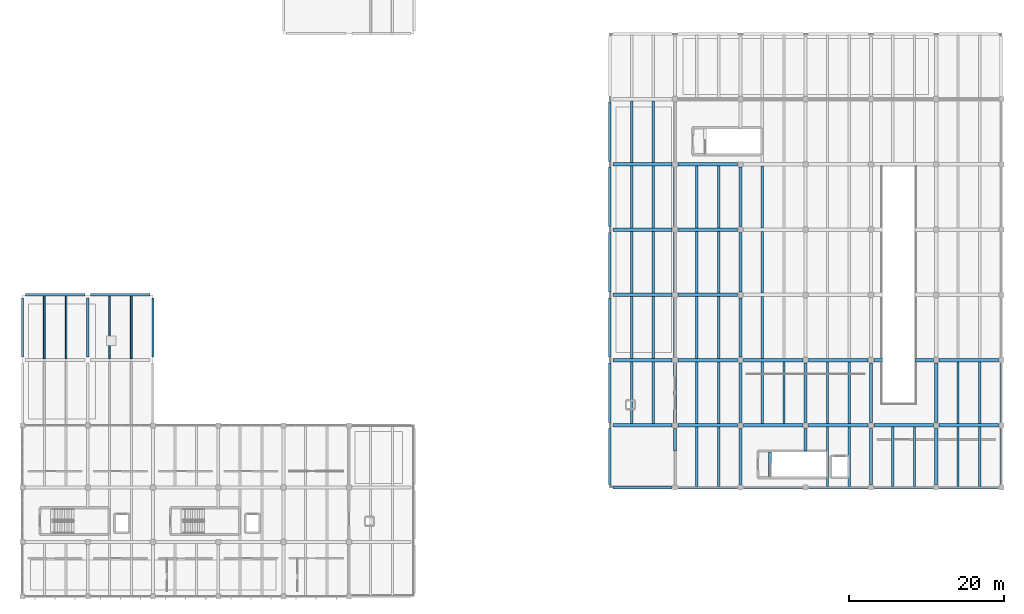
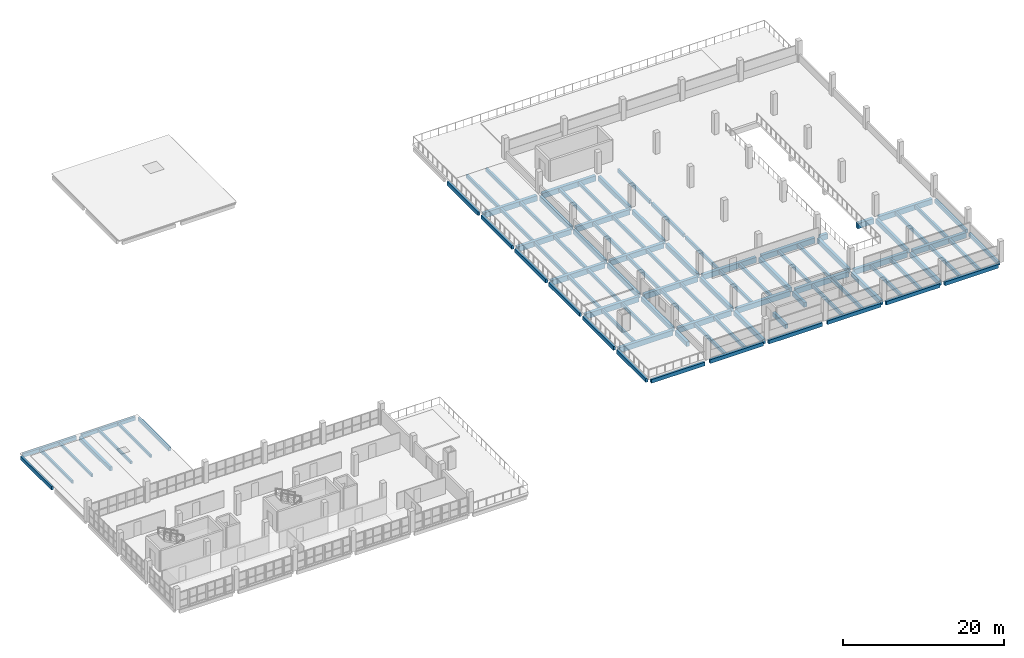
# One storey, part 19 of 33: 94 beams.
"""IFC4 building model written with IfcOpenShell, lengths in metres."""

import ifcopenshell
import ifcopenshell.guid

model = None  # the IFC model being written
_history = None  # IfcOwnerHistory: only IFC2X3 demands one
_inside = {}  # id of a spatial element -> (the spatial element, [elements in it])
_under = {}  # id of a project, library or spatial element -> (it, [spatial elements below it])
_declared = {}  # id of a project -> (the project, [libraries it declares])
_typed = {}  # id of a type object -> (the type object, [elements of that type])
_made_of = {}  # id of a material, layer set ... -> (it, [elements and type objects made of it])


def new_model(schema):
    """Start an empty IFC model of exactly this schema.

    Asked for "IFC4X3", IfcOpenShell would pick the latest addendum, in which some entities
    have other attributes; the version numbers below select the first issue.
    IFC2X3 requires an IfcOwnerHistory on every rooted entity: one is made here for all.
    """
    global model, _history
    if schema == "IFC4X3":
        model = ifcopenshell.file(schema_version=(4, 3, 0, 0))
    else:
        model = ifcopenshell.file(schema=schema)
    _inside.clear()
    _under.clear()
    _declared.clear()
    _typed.clear()
    _made_of.clear()
    _history = None
    if model.schema == "IFC2X3":
        org = make("IfcOrganization", Name="unknown")
        user = make(
            "IfcPersonAndOrganization",
            ThePerson=make("IfcPerson", FamilyName="unknown"),
            TheOrganization=org,
        )
        app = make(
            "IfcApplication",
            ApplicationDeveloper=org,
            Version="unknown",
            ApplicationFullName="unknown",
            ApplicationIdentifier="unknown",
        )
        _history = make(
            "IfcOwnerHistory",
            OwningUser=user,
            OwningApplication=app,
            ChangeAction="ADDED",
            CreationDate=0,
        )
    return model


def make(cls, **values):
    """One entity of the class cls with the attributes given. An attribute that is None is left unset."""
    return model.create_entity(
        cls, **{name: value for name, value in values.items() if value is not None}
    )


def rooted(cls, **values):
    """An entity with a GlobalId (a new one), such as an element, a storey or a relation."""
    return make(cls, GlobalId=ifcopenshell.guid.new(), OwnerHistory=_history, **values)


def si_unit(unit_type, name, prefix=None):
    """IfcSIUnit, for example si_unit("LENGTHUNIT", "METRE", prefix="MILLI")."""
    return make("IfcSIUnit", UnitType=unit_type, Prefix=prefix, Name=name)


def assignment(units):
    """IfcUnitAssignment: the units of a project."""
    return None if units is None else make("IfcUnitAssignment", Units=units)


def point(xyz):
    """IfcCartesianPoint."""
    return None if xyz is None else make("IfcCartesianPoint", Coordinates=xyz)


def direction(xyz):
    """IfcDirection."""
    return None if xyz is None else make("IfcDirection", DirectionRatios=xyz)


def frame(location, z_axis=None, x_axis=None):
    """IfcAxis2Placement3D, a coordinate frame: its origin and axes. An axis left out is left unset."""
    return make(
        "IfcAxis2Placement3D",
        Location=point(location),
        Axis=direction(z_axis),
        RefDirection=direction(x_axis),
    )


def frame_2d(location, x_axis=None):
    """IfcAxis2Placement2D, a coordinate frame in the plane: its origin and x axis."""
    return make(
        "IfcAxis2Placement2D", Location=point(location), RefDirection=direction(x_axis)
    )


def origin():
    """The frame at (0, 0, 0) with its axes left unset."""
    return frame((0.0, 0.0, 0.0))


def origin_2d():
    """The frame at (0, 0) in the plane with its x axis left unset."""
    return frame_2d((0.0, 0.0))


def place(relative_to, where):
    """IfcLocalPlacement: puts the frame where relative to a parent placement (None: the world)."""
    return make(
        "IfcLocalPlacement", PlacementRelTo=relative_to, RelativePlacement=where
    )


def context(
    kind, dimensions, precision=None, world=None, true_north=None, identifier=None
):
    """IfcGeometricRepresentationContext, for example the 3D "Model" context."""
    return make(
        "IfcGeometricRepresentationContext",
        ContextIdentifier=identifier,
        ContextType=kind,
        CoordinateSpaceDimension=dimensions,
        Precision=precision,
        WorldCoordinateSystem=world,
        TrueNorth=true_north,
    )


def subcontext(parent, identifier, kind, view, scale=None):
    """IfcGeometricRepresentationSubContext, for example "Body" below "Model"."""
    return make(
        "IfcGeometricRepresentationSubContext",
        ContextIdentifier=identifier,
        ContextType=kind,
        ParentContext=parent,
        TargetScale=scale,
        TargetView=view,
    )


def project(units=None, contexts=None):
    """IfcProject with its units and contexts."""
    return rooted(
        "IfcProject",
        Name="project",
        RepresentationContexts=contexts,
        UnitsInContext=assignment(units),
    )


def spatial(cls, under=None, at=None, **own):
    """A site, building, storey or space (cls), placed at a placement, below another one or the project."""
    s = rooted(cls, ObjectPlacement=at, **own)
    if under is not None:
        _under.setdefault(under.id(), (under, []))[1].append(s)
    return s


def profile(cls, at=None, kind="AREA", **sizes):
    """A parametric profile (cls). Its sizes go by their IFC names, for example OverallWidth=200.0."""
    return make(cls, ProfileType=kind, Position=at, **sizes)


def rectangle(**sizes):
    """IfcRectangleProfileDef."""
    return profile("IfcRectangleProfileDef", **sizes)


def extrude(swept, where, along, depth):
    """IfcExtrudedAreaSolid: the profile swept, set in the frame where, extruded along a direction by depth."""
    return make(
        "IfcExtrudedAreaSolid",
        SweptArea=swept,
        Position=where,
        ExtrudedDirection=direction(along),
        Depth=depth,
    )


def shape(context_of_items, identifier, shape_type, items):
    """IfcShapeRepresentation: the items that make up one representation, for example the "Body"."""
    return make(
        "IfcShapeRepresentation",
        ContextOfItems=context_of_items,
        RepresentationIdentifier=identifier,
        RepresentationType=shape_type,
        Items=items,
    )


def material(Name=None, Category=None):
    """IfcMaterial."""
    return make("IfcMaterial", Name=Name, Category=Category)


def material_profile(
    of_material, cross_section, Name=None, Category=None, Priority=None
):
    """IfcMaterialProfile: a cross section and its material."""
    return make(
        "IfcMaterialProfile",
        Name=Name,
        Material=of_material,
        Profile=cross_section,
        Priority=Priority,
        Category=Category,
    )


def profile_set(profiles, Name=None, composite=None):
    """IfcMaterialProfileSet."""
    return make(
        "IfcMaterialProfileSet",
        Name=Name,
        MaterialProfiles=profiles,
        CompositeProfile=composite,
    )


def made_of(thing, what):
    """Note that an element or type object is made of a material, layer set ...; save() writes the relation."""
    if what is not None:
        _made_of.setdefault(what.id(), (what, []))[1].append(thing)
    return thing


def type_object(cls, material=None, **own):
    """A type object (cls), such as IfcWallType, which elements share."""
    return made_of(rooted(cls, **own), material)


def element(
    cls,
    number,
    at=None,
    inside=None,
    cuts=None,
    type_object=None,
    material=None,
    context=None,
    identifier="Body",
    shape_type=None,
    held_by="IfcProductDefinitionShape",
    body=None,
    shapes=None,
    **own,
):
    """One element of the class cls, such as IfcWall. Its Tag is "e" and its number.

    at: its placement. inside: the storey or other place that contains it. cuts: it is an
    opening in that element (IfcRelVoidsElement). A single representation is given by context,
    identifier, shape_type and body (its items); several are given by shapes. held_by: the class
    of the entity that holds the representations. save() writes the other relations.
    """
    e = rooted(cls, Tag="e%d" % number, ObjectPlacement=at, **own)
    if body is not None:
        shapes = [shape(context, identifier, shape_type, body)]
    if shapes is not None:
        e.Representation = make(held_by, Representations=shapes)
    if inside is not None:
        _inside.setdefault(inside.id(), (inside, []))[1].append(e)
    if cuts is not None:
        rooted(
            "IfcRelVoidsElement", RelatingBuildingElement=cuts, RelatedOpeningElement=e
        )
    if type_object is not None:
        _typed.setdefault(type_object.id(), (type_object, []))[1].append(e)
    return made_of(e, material)


def aggregate(whole, parts):
    """IfcRelAggregates: a whole, such as a stair, and the parts it consists of."""
    return rooted("IfcRelAggregates", RelatingObject=whole, RelatedObjects=parts)


def save(model, path):
    """Write the relations noted so far, then the file.

    IfcRelAggregates (storeys below a building ...), IfcRelContainedInSpatialStructure (elements
    in a storey), IfcRelDefinesByType, IfcRelAssociatesMaterial and IfcRelDeclares: one each for
    every whole, place, type object, material and project.
    """
    for whole, parts in _under.values():
        aggregate(whole, parts)
    for where, things in _inside.values():
        rooted(
            "IfcRelContainedInSpatialStructure",
            RelatedElements=things,
            RelatingStructure=where,
        )
    for kind, things in _typed.values():
        rooted("IfcRelDefinesByType", RelatedObjects=things, RelatingType=kind)
    for what, things in _made_of.values():
        rooted("IfcRelAssociatesMaterial", RelatedObjects=things, RelatingMaterial=what)
    for by, libraries in _declared.values():
        rooted("IfcRelDeclares", RelatingContext=by, RelatedDefinitions=libraries)
    model.write(path)


model = new_model("IFC4")

# Units and contexts
model_context = context("Model", 3, precision=1e-05, world=origin(), true_north=direction((0.0, 1.0)))
body_context = subcontext(model_context, "Body", "Model", "MODEL_VIEW")
ifc_project = project(units=[si_unit("LENGTHUNIT", "METRE"), si_unit("AREAUNIT", "SQUARE_METRE"), si_unit("VOLUMEUNIT", "CUBIC_METRE"), si_unit("PLANEANGLEUNIT", "RADIAN"), si_unit("MASSUNIT", "GRAM", prefix="KILO"), si_unit("THERMODYNAMICTEMPERATUREUNIT", "KELVIN"), si_unit("POWERUNIT", "WATT")], contexts=[model_context])

# Site, building, storey
site_placement = place(None, origin())
site = spatial("IfcSite", under=ifc_project, at=site_placement, CompositionType="ELEMENT")
building_placement = place(site_placement, origin())
building = spatial("IfcBuilding", under=site, at=building_placement, Name="Mavoryth Pier Ferry Terminal", CompositionType="ELEMENT")
storey_placement = place(building_placement, frame((0.0, 0.0, 13.1201171875)))
storey = spatial("IfcBuildingStorey", under=building, at=storey_placement, Name="L03", CompositionType="ELEMENT", Elevation=13.1201171875)

# Beams
ifc_material = material(Name="Concrete C35/45", Category="concrete")
ifc_material_profile_1 = material_profile(ifc_material, rectangle(XDim=0.35009765625, YDim=0.60009765625, at=origin_2d()), Name="RC 350x600", Category="concrete")
ifc_profile_set_1 = profile_set([ifc_material_profile_1], Name="Concrete C35/45 - RC 350x600")
beam_type_1 = type_object("IfcBeamType", Name="Girder-RC-350x600", PredefinedType="BEAM", material=ifc_profile_set_1)
beam_1_placement = place(storey_placement, frame((50.39990234375, 30.77490234375, -0.460205078125), z_axis=(0.0, 1.0, 0.0), x_axis=(-1.0, 0.0, 0.0)))
element("IfcBeam", 1, at=beam_1_placement, inside=storey, type_object=beam_type_1, Name="Beam B03-BG08-1317", PredefinedType="BEAM", context=body_context, shape_type="SweptSolid", body=[
    extrude(rectangle(XDim=0.35009765625, YDim=0.60009765625, at=origin_2d()), origin(), (0.0, 0.0, 1.0), 7.650146484375),
])
ifc_material_profile_2 = material_profile(ifc_material, rectangle(XDim=0.39990234375, YDim=0.64990234375, at=origin_2d()), Name="RC 400x650", Category="concrete")
ifc_profile_set_2 = profile_set([ifc_material_profile_2], Name="Concrete C35/45 - RC 400x650")
beam_type_2 = type_object("IfcBeamType", Name="Girder-RC-400x650", PredefinedType="BEAM", material=ifc_profile_set_2)
beam_2_placement = place(storey_placement, frame((138.219970703125, 15.39990234375, -0.3251953125), z_axis=(0.0, 1.0, 0.0), x_axis=(-1.0, 0.0, 0.0)))
element("IfcBeam", 2, at=beam_2_placement, inside=storey, type_object=beam_type_2, Name="Beam B03-BG05-1580", PredefinedType="BEAM", context=body_context, shape_type="SweptSolid", body=[
    extrude(rectangle(XDim=0.39990234375, YDim=0.64990234375, at=origin_2d()), origin(), (0.0, 0.0, 1.0), 3.150146484375),
])
ifc_material_profile_3 = material_profile(ifc_material, rectangle(XDim=0.39990234375, YDim=0.699951171875, at=origin_2d()), Name="RC 400x700", Category="concrete")
ifc_profile_set_3 = profile_set([ifc_material_profile_3], Name="Concrete C35/45 - RC 400x700")
beam_type_3 = type_object("IfcBeamType", Name="Girder-RC-400x700", PredefinedType="BEAM", material=ifc_profile_set_3)
beam_3_placement = place(storey_placement, frame((126.0, 18.679931640625, -0.710205078125), z_axis=(0.0, 1.0, 0.0), x_axis=(-1.0, 0.0, 0.0)))
element("IfcBeam", 3, at=beam_3_placement, inside=storey, type_object=beam_type_3, Name="Beam B03-BG04-1121", PredefinedType="BEAM", context=body_context, shape_type="SweptSolid", body=[
    extrude(rectangle(XDim=0.39990234375, YDim=0.699951171875, at=origin_2d()), origin(), (0.0, 0.0, 1.0), 2.945068359375),
])
beam_4_placement = place(storey_placement, frame((126.0, 22.375, -0.710205078125), z_axis=(0.0, 1.0, 0.0), x_axis=(-1.0, 0.0, 0.0)))
element("IfcBeam", 4, at=beam_4_placement, inside=storey, type_object=beam_type_3, Name="Beam B03-BG04-1122", PredefinedType="BEAM", context=body_context, shape_type="SweptSolid", body=[
    extrude(rectangle(XDim=0.39990234375, YDim=0.699951171875, at=origin_2d()), origin(), (0.0, 0.0, 1.0), 7.64990234375),
])
beam_5_placement = place(storey_placement, frame((126.0, 30.77490234375, -0.710205078125), z_axis=(0.0, 1.0, 0.0), x_axis=(-1.0, 0.0, 0.0)))
element("IfcBeam", 5, at=beam_5_placement, inside=storey, type_object=beam_type_3, Name="Beam B03-BG04-1123", PredefinedType="BEAM", context=body_context, shape_type="SweptSolid", body=[
    extrude(rectangle(XDim=0.39990234375, YDim=0.699951171875, at=origin_2d()), origin(), (0.0, 0.0, 1.0), 7.650146484375),
])
beam_6_placement = place(storey_placement, frame((126.0, 39.175048828125, -0.710205078125), z_axis=(0.0, 1.0, 0.0), x_axis=(-1.0, 0.0, 0.0)))
element("IfcBeam", 6, at=beam_6_placement, inside=storey, type_object=beam_type_3, Name="Beam B03-BG04-1124", PredefinedType="BEAM", context=body_context, shape_type="SweptSolid", body=[
    extrude(rectangle(XDim=0.39990234375, YDim=0.699951171875, at=origin_2d()), origin(), (0.0, 0.0, 1.0), 7.64990234375),
])
beam_7_placement = place(storey_placement, frame((126.0, 47.574951171875, -0.710205078125), z_axis=(0.0, 1.0, 0.0), x_axis=(-1.0, 0.0, 0.0)))
element("IfcBeam", 7, at=beam_7_placement, inside=storey, type_object=beam_type_3, Name="Beam B03-BG04-1125", PredefinedType="BEAM", context=body_context, shape_type="SweptSolid", body=[
    extrude(rectangle(XDim=0.39990234375, YDim=0.699951171875, at=origin_2d()), origin(), (0.0, 0.0, 1.0), 7.650146484375),
])
beam_8_placement = place(storey_placement, frame((134.39990234375, 14.375, -0.650146484375), z_axis=(0.0, 1.0, 0.0), x_axis=(-1.0, 0.0, 0.0)))
element("IfcBeam", 8, at=beam_8_placement, inside=storey, type_object=beam_type_3, Name="Beam B03-BG04-1128", PredefinedType="BEAM", context=body_context, shape_type="SweptSolid", body=[
    extrude(rectangle(XDim=0.39990234375, YDim=0.699951171875, at=origin_2d()), origin(), (0.0, 0.0, 1.0), 7.25),
])
beam_9_placement = place(storey_placement, frame((134.39990234375, 22.375, -0.650146484375), z_axis=(0.0, 1.0, 0.0), x_axis=(-1.0, 0.0, 0.0)))
element("IfcBeam", 9, at=beam_9_placement, inside=storey, type_object=beam_type_3, Name="Beam B03-BG04-1129", PredefinedType="BEAM", context=body_context, shape_type="SweptSolid", body=[
    extrude(rectangle(XDim=0.39990234375, YDim=0.699951171875, at=origin_2d()), origin(), (0.0, 0.0, 1.0), 7.64990234375),
])
beam_10_placement = place(storey_placement, frame((134.39990234375, 30.77490234375, -0.650146484375), z_axis=(0.0, 1.0, 0.0), x_axis=(-1.0, 0.0, 0.0)))
element("IfcBeam", 10, at=beam_10_placement, inside=storey, type_object=beam_type_3, Name="Beam B03-BG04-1130", PredefinedType="BEAM", context=body_context, shape_type="SweptSolid", body=[
    extrude(rectangle(XDim=0.39990234375, YDim=0.699951171875, at=origin_2d()), origin(), (0.0, 0.0, 1.0), 7.650146484375),
])
beam_11_placement = place(storey_placement, frame((134.39990234375, 39.175048828125, -0.650146484375), z_axis=(0.0, 1.0, 0.0), x_axis=(-1.0, 0.0, 0.0)))
element("IfcBeam", 11, at=beam_11_placement, inside=storey, type_object=beam_type_3, Name="Beam B03-BG04-1131", PredefinedType="BEAM", context=body_context, shape_type="SweptSolid", body=[
    extrude(rectangle(XDim=0.39990234375, YDim=0.699951171875, at=origin_2d()), origin(), (0.0, 0.0, 1.0), 7.64990234375),
])
beam_12_placement = place(storey_placement, frame((134.39990234375, 47.574951171875, -0.650146484375), z_axis=(0.0, 1.0, 0.0), x_axis=(-1.0, 0.0, 0.0)))
element("IfcBeam", 12, at=beam_12_placement, inside=storey, type_object=beam_type_3, Name="Beam B03-BG04-1132", PredefinedType="BEAM", context=body_context, shape_type="SweptSolid", body=[
    extrude(rectangle(XDim=0.39990234375, YDim=0.699951171875, at=origin_2d()), origin(), (0.0, 0.0, 1.0), 7.650146484375),
])
beam_13_placement = place(storey_placement, frame((142.800048828125, 18.679931640625, -0.650146484375), z_axis=(0.0, 1.0, 0.0), x_axis=(-1.0, 0.0, 0.0)))
element("IfcBeam", 13, at=beam_13_placement, inside=storey, type_object=beam_type_3, Name="Beam B03-BG04-1135", PredefinedType="BEAM", context=body_context, shape_type="SweptSolid", body=[
    extrude(rectangle(XDim=0.39990234375, YDim=0.699951171875, at=origin_2d()), origin(), (0.0, 0.0, 1.0), 2.945068359375),
])
beam_14_placement = place(storey_placement, frame((142.800048828125, 22.375, -0.650146484375), z_axis=(0.0, 1.0, 0.0), x_axis=(-1.0, 0.0, 0.0)))
element("IfcBeam", 14, at=beam_14_placement, inside=storey, type_object=beam_type_3, Name="Beam B03-BG04-1136", PredefinedType="BEAM", context=body_context, shape_type="SweptSolid", body=[
    extrude(rectangle(XDim=0.39990234375, YDim=0.699951171875, at=origin_2d()), origin(), (0.0, 0.0, 1.0), 7.64990234375),
])
beam_15_placement = place(storey_placement, frame((151.199951171875, 14.375, -0.650146484375), z_axis=(0.0, 1.0, 0.0), x_axis=(-1.0, 0.0, 0.0)))
element("IfcBeam", 15, at=beam_15_placement, inside=storey, type_object=beam_type_3, Name="Beam B03-BG04-1142", PredefinedType="BEAM", context=body_context, shape_type="SweptSolid", body=[
    extrude(rectangle(XDim=0.39990234375, YDim=0.699951171875, at=origin_2d()), origin(), (0.0, 0.0, 1.0), 7.25),
])
beam_16_placement = place(storey_placement, frame((151.199951171875, 22.375, -0.650146484375), z_axis=(0.0, 1.0, 0.0), x_axis=(-1.0, 0.0, 0.0)))
element("IfcBeam", 16, at=beam_16_placement, inside=storey, type_object=beam_type_3, Name="Beam B03-BG04-1143", PredefinedType="BEAM", context=body_context, shape_type="SweptSolid", body=[
    extrude(rectangle(XDim=0.39990234375, YDim=0.699951171875, at=origin_2d()), origin(), (0.0, 0.0, 1.0), 7.64990234375),
])
beam_17_placement = place(storey_placement, frame((159.60009765625, 14.375, -0.650146484375), z_axis=(0.0, 1.0, 0.0), x_axis=(-1.0, 0.0, 0.0)))
element("IfcBeam", 17, at=beam_17_placement, inside=storey, type_object=beam_type_3, Name="Beam B03-BG04-1149", PredefinedType="BEAM", context=body_context, shape_type="SweptSolid", body=[
    extrude(rectangle(XDim=0.39990234375, YDim=0.699951171875, at=origin_2d()), origin(), (0.0, 0.0, 1.0), 7.25),
])
beam_18_placement = place(storey_placement, frame((159.60009765625, 22.375, -0.650146484375), z_axis=(0.0, 1.0, 0.0), x_axis=(-1.0, 0.0, 0.0)))
element("IfcBeam", 18, at=beam_18_placement, inside=storey, type_object=beam_type_3, Name="Beam B03-BG04-1150", PredefinedType="BEAM", context=body_context, shape_type="SweptSolid", body=[
    extrude(rectangle(XDim=0.39990234375, YDim=0.699951171875, at=origin_2d()), origin(), (0.0, 0.0, 1.0), 7.64990234375),
])
ifc_material_profile_4 = material_profile(ifc_material, rectangle(XDim=0.449951171875, YDim=0.800048828125, at=origin_2d()), Name="RC 450x800", Category="concrete")
ifc_profile_set_4 = profile_set([ifc_material_profile_4], Name="Concrete C35/45 - RC 450x800")
beam_type_4 = type_object("IfcBeamType", Name="Girder-RC-450x800", PredefinedType="BEAM", material=ifc_profile_set_4)
for number, where, z_axis, x_axis, name in (
    (19, (117.97509765625, 22.0, -0.760009765625), (1.0, 0.0, 0.0), (0.0, 1.0, 0.0), "Beam B03-BG01-1069"),
    (20, (126.375, 22.0, -0.7001953125), (1.0, 0.0, 0.0), (0.0, 1.0, 0.0), "Beam B03-BG01-1070"),
):
    element("IfcBeam", number, at=place(storey_placement, frame(where, z_axis=z_axis, x_axis=x_axis)), inside=storey, type_object=beam_type_4, Name=name, PredefinedType="BEAM", context=body_context, shape_type="SweptSolid", body=[
        extrude(rectangle(XDim=0.449951171875, YDim=0.800048828125, at=origin_2d()), origin(), (0.0, 0.0, 1.0), 7.64990234375),
    ])
beam_19_placement = place(storey_placement, frame((134.77490234375, 22.0, -0.7001953125), z_axis=(1.0, 0.0, 0.0), x_axis=(0.0, 1.0, 0.0)))
element("IfcBeam", 21, at=beam_19_placement, inside=storey, type_object=beam_type_4, Name="Beam B03-BG01-1071", PredefinedType="BEAM", context=body_context, shape_type="SweptSolid", body=[
    extrude(rectangle(XDim=0.449951171875, YDim=0.800048828125, at=origin_2d()), origin(), (0.0, 0.0, 1.0), 7.650146484375),
])
beam_20_placement = place(storey_placement, frame((143.175048828125, 22.0, -0.7001953125), z_axis=(1.0, 0.0, 0.0), x_axis=(0.0, 1.0, 0.0)))
element("IfcBeam", 22, at=beam_20_placement, inside=storey, type_object=beam_type_4, Name="Beam B03-BG01-1072", PredefinedType="BEAM", context=body_context, shape_type="SweptSolid", body=[
    extrude(rectangle(XDim=0.449951171875, YDim=0.800048828125, at=origin_2d()), origin(), (0.0, 0.0, 1.0), 7.64990234375),
])
beam_21_placement = place(storey_placement, frame((151.574951171875, 22.0, -0.7001953125), z_axis=(1.0, 0.0, 0.0), x_axis=(0.0, 1.0, 0.0)))
element("IfcBeam", 23, at=beam_21_placement, inside=storey, type_object=beam_type_4, Name="Beam B03-BG01-1073", PredefinedType="BEAM", context=body_context, shape_type="SweptSolid", body=[
    extrude(rectangle(XDim=0.449951171875, YDim=0.800048828125, at=origin_2d()), origin(), (0.0, 0.0, 1.0), 7.650146484375),
])
for number, where, z_axis, x_axis, name in (
    (24, (159.97509765625, 22.0, -0.7001953125), (1.0, 0.0, 0.0), (0.0, 1.0, 0.0), "Beam B03-BG01-1074"),
    (25, (117.97509765625, 30.39990234375, -0.760009765625), (1.0, 0.0, 0.0), (0.0, 1.0, 0.0), "Beam B03-BG01-1075"),
    (26, (126.375, 30.39990234375, -0.7001953125), (1.0, 0.0, 0.0), (0.0, 1.0, 0.0), "Beam B03-BG01-1076"),
):
    element("IfcBeam", number, at=place(storey_placement, frame(where, z_axis=z_axis, x_axis=x_axis)), inside=storey, type_object=beam_type_4, Name=name, PredefinedType="BEAM", context=body_context, shape_type="SweptSolid", body=[
        extrude(rectangle(XDim=0.449951171875, YDim=0.800048828125, at=origin_2d()), origin(), (0.0, 0.0, 1.0), 7.64990234375),
    ])
beam_22_placement = place(storey_placement, frame((134.77490234375, 30.39990234375, -0.7001953125), z_axis=(1.0, 0.0, 0.0), x_axis=(0.0, 1.0, 0.0)))
element("IfcBeam", 27, at=beam_22_placement, inside=storey, type_object=beam_type_4, Name="Beam B03-BG01-1077", PredefinedType="BEAM", context=body_context, shape_type="SweptSolid", body=[
    extrude(rectangle(XDim=0.449951171875, YDim=0.800048828125, at=origin_2d()), origin(), (0.0, 0.0, 1.0), 7.650146484375),
])
beam_23_placement = place(storey_placement, frame((143.175048828125, 30.39990234375, -0.7001953125), z_axis=(1.0, 0.0, 0.0), x_axis=(0.0, 1.0, 0.0)))
element("IfcBeam", 28, at=beam_23_placement, inside=storey, type_object=beam_type_4, Name="Beam B03-BG01-1078", PredefinedType="BEAM", context=body_context, shape_type="SweptSolid", body=[
    extrude(rectangle(XDim=0.449951171875, YDim=0.800048828125, at=origin_2d()), origin(), (0.0, 0.0, 1.0), 7.64990234375),
])
beam_24_placement = place(storey_placement, frame((151.574951171875, 30.39990234375, -0.7001953125), z_axis=(1.0, 0.0, 0.0), x_axis=(0.0, 1.0, 0.0)))
element("IfcBeam", 29, at=beam_24_placement, inside=storey, type_object=beam_type_4, Name="Beam B03-BG01-1079", PredefinedType="BEAM", context=body_context, shape_type="SweptSolid", body=[
    extrude(rectangle(XDim=0.449951171875, YDim=0.800048828125, at=origin_2d()), origin(), (0.0, 0.0, 1.0), 1.0849609375),
])
beam_25_placement = place(storey_placement, frame((156.93994140625, 30.39990234375, -0.7001953125), z_axis=(1.0, 0.0, 0.0), x_axis=(0.0, 1.0, 0.0)))
element("IfcBeam", 30, at=beam_25_placement, inside=storey, type_object=beam_type_4, Name="Beam B03-BG01-1080", PredefinedType="BEAM", context=body_context, shape_type="SweptSolid", body=[
    extrude(rectangle(XDim=0.449951171875, YDim=0.800048828125, at=origin_2d()), origin(), (0.0, 0.0, 1.0), 2.28515625),
])
for number, where, z_axis, x_axis, name in (
    (31, (159.97509765625, 30.39990234375, -0.7001953125), (1.0, 0.0, 0.0), (0.0, 1.0, 0.0), "Beam B03-BG01-1081"),
    (32, (117.97509765625, 38.800048828125, -0.760009765625), (1.0, 0.0, 0.0), (0.0, 1.0, 0.0), "Beam B03-BG01-1082"),
    (33, (126.375, 38.800048828125, -0.7001953125), (1.0, 0.0, 0.0), (0.0, 1.0, 0.0), "Beam B03-BG01-1083"),
    (34, (117.97509765625, 47.199951171875, -0.760009765625), (1.0, 0.0, 0.0), (0.0, 1.0, 0.0), "Beam B03-BG01-1089"),
    (35, (126.375, 47.199951171875, -0.7001953125), (1.0, 0.0, 0.0), (0.0, 1.0, 0.0), "Beam B03-BG01-1090"),
    (36, (117.97509765625, 55.60009765625, -0.760009765625), (1.0, 0.0, 0.0), (0.0, 1.0, 0.0), "Beam B03-BG01-1096"),
    (37, (126.375, 55.60009765625, -0.7001953125), (1.0, 0.0, 0.0), (0.0, 1.0, 0.0), "Beam B03-BG01-1097"),
):
    element("IfcBeam", number, at=place(storey_placement, frame(where, z_axis=z_axis, x_axis=x_axis)), inside=storey, type_object=beam_type_4, Name=name, PredefinedType="BEAM", context=body_context, shape_type="SweptSolid", body=[
        extrude(rectangle(XDim=0.449951171875, YDim=0.800048828125, at=origin_2d()), origin(), (0.0, 0.0, 1.0), 7.64990234375),
    ])
ifc_material_profile_5 = material_profile(ifc_material, rectangle(XDim=0.239990234375, YDim=0.419921875, at=origin_2d()), Name="RC 240x420", Category="concrete")
ifc_profile_set_5 = profile_set([ifc_material_profile_5], Name="Concrete C35/45 - RC 240x420")
beam_type_5 = type_object("IfcBeamType", Name="Joist-RC-240x420", PredefinedType="JOIST", material=ifc_profile_set_5)
for number, where, z_axis, x_axis, name in (
    (38, (44.800048828125, 30.574951171875, -0.3701171875), (0.0, 1.0, 0.0), (-1.0, 0.0, 0.0), "Beam B03-BJ04-1322"),
    (39, (47.60009765625, 30.574951171875, -0.3701171875), (0.0, 1.0, 0.0), (-1.0, 0.0, 0.0), "Beam B03-BJ04-1323"),
    (40, (53.199951171875, 30.574951171875, -0.3701171875), (0.0, 1.0, 0.0), (-1.0, 0.0, 0.0), "Beam B03-BJ04-1326"),
    (41, (56.0, 30.574951171875, -0.3701171875), (0.0, 1.0, 0.0), (-1.0, 0.0, 0.0), "Beam B03-BJ04-1327"),
):
    element("IfcBeam", number, at=place(storey_placement, frame(where, z_axis=z_axis, x_axis=x_axis)), inside=storey, type_object=beam_type_5, Name=name, PredefinedType="JOIST", context=body_context, shape_type="SweptSolid", body=[
        extrude(rectangle(XDim=0.239990234375, YDim=0.419921875, at=origin_2d()), origin(), (0.0, 0.0, 1.0), 8.074951171875),
    ])
ifc_material_profile_6 = material_profile(ifc_material, rectangle(XDim=0.300048828125, YDim=0.5, at=origin_2d()), Name="RC 300x500", Category="concrete")
ifc_profile_set_6 = profile_set([ifc_material_profile_6], Name="Concrete C35/45 - RC 300x500")
beam_type_6 = type_object("IfcBeamType", Name="Joist-RC-300x500", PredefinedType="JOIST", material=ifc_profile_set_6)
for number, where, z_axis, x_axis, name in (
    (42, (120.39990234375, 22.22509765625, -0.610107421875), (0.0, 1.0, 0.0), (-1.0, 0.0, 0.0), "Beam B03-BJ01-1163"),
    (43, (123.199951171875, 22.22509765625, -0.610107421875), (0.0, 1.0, 0.0), (-1.0, 0.0, 0.0), "Beam B03-BJ01-1164"),
    (44, (120.39990234375, 30.625, -0.610107421875), (0.0, 1.0, 0.0), (-1.0, 0.0, 0.0), "Beam B03-BJ01-1165"),
    (45, (123.199951171875, 30.625, -0.610107421875), (0.0, 1.0, 0.0), (-1.0, 0.0, 0.0), "Beam B03-BJ01-1166"),
):
    element("IfcBeam", number, at=place(storey_placement, frame(where, z_axis=z_axis, x_axis=x_axis)), inside=storey, type_object=beam_type_6, Name=name, PredefinedType="JOIST", context=body_context, shape_type="SweptSolid", body=[
        extrude(rectangle(XDim=0.300048828125, YDim=0.5, at=origin_2d()), origin(), (0.0, 0.0, 1.0), 7.949951171875),
    ])
for number, where, z_axis, x_axis, name in (
    (46, (120.39990234375, 39.02490234375, -0.610107421875), (0.0, 1.0, 0.0), (-1.0, 0.0, 0.0), "Beam B03-BJ01-1167"),
    (47, (123.199951171875, 39.02490234375, -0.610107421875), (0.0, 1.0, 0.0), (-1.0, 0.0, 0.0), "Beam B03-BJ01-1168"),
):
    element("IfcBeam", number, at=place(storey_placement, frame(where, z_axis=z_axis, x_axis=x_axis)), inside=storey, type_object=beam_type_6, Name=name, PredefinedType="JOIST", context=body_context, shape_type="SweptSolid", body=[
        extrude(rectangle(XDim=0.300048828125, YDim=0.5, at=origin_2d()), origin(), (0.0, 0.0, 1.0), 7.9501953125),
    ])
for number, where, z_axis, x_axis, name in (
    (48, (120.39990234375, 47.425048828125, -0.610107421875), (0.0, 1.0, 0.0), (-1.0, 0.0, 0.0), "Beam B03-BJ01-1169"),
    (49, (123.199951171875, 47.425048828125, -0.610107421875), (0.0, 1.0, 0.0), (-1.0, 0.0, 0.0), "Beam B03-BJ01-1170"),
    (50, (120.39990234375, 55.824951171875, -0.610107421875), (0.0, 1.0, 0.0), (-1.0, 0.0, 0.0), "Beam B03-BJ01-1171"),
    (51, (123.199951171875, 55.824951171875, -0.610107421875), (0.0, 1.0, 0.0), (-1.0, 0.0, 0.0), "Beam B03-BJ01-1172"),
):
    element("IfcBeam", number, at=place(storey_placement, frame(where, z_axis=z_axis, x_axis=x_axis)), inside=storey, type_object=beam_type_6, Name=name, PredefinedType="JOIST", context=body_context, shape_type="SweptSolid", body=[
        extrude(rectangle(XDim=0.300048828125, YDim=0.5, at=origin_2d()), origin(), (0.0, 0.0, 1.0), 7.949951171875),
    ])
for number, where, z_axis, x_axis, name in (
    (52, (128.800048828125, 14.159912109375, -0.550048828125), (0.0, 1.0, 0.0), (-1.0, 0.0, 0.0), "Beam B03-BJ01-1175"),
    (53, (131.60009765625, 14.159912109375, -0.550048828125), (0.0, 1.0, 0.0), (-1.0, 0.0, 0.0), "Beam B03-BJ01-1176"),
):
    element("IfcBeam", number, at=place(storey_placement, frame(where, z_axis=z_axis, x_axis=x_axis)), inside=storey, type_object=beam_type_6, Name=name, PredefinedType="JOIST", context=body_context, shape_type="SweptSolid", body=[
        extrude(rectangle(XDim=0.300048828125, YDim=0.5, at=origin_2d()), origin(), (0.0, 0.0, 1.0), 7.614990234375),
    ])
for number, where, z_axis, x_axis, name in (
    (54, (128.800048828125, 22.22509765625, -0.550048828125), (0.0, 1.0, 0.0), (-1.0, 0.0, 0.0), "Beam B03-BJ01-1177"),
    (55, (131.60009765625, 22.22509765625, -0.550048828125), (0.0, 1.0, 0.0), (-1.0, 0.0, 0.0), "Beam B03-BJ01-1178"),
    (56, (128.800048828125, 30.625, -0.550048828125), (0.0, 1.0, 0.0), (-1.0, 0.0, 0.0), "Beam B03-BJ01-1179"),
    (57, (131.60009765625, 30.625, -0.550048828125), (0.0, 1.0, 0.0), (-1.0, 0.0, 0.0), "Beam B03-BJ01-1180"),
):
    element("IfcBeam", number, at=place(storey_placement, frame(where, z_axis=z_axis, x_axis=x_axis)), inside=storey, type_object=beam_type_6, Name=name, PredefinedType="JOIST", context=body_context, shape_type="SweptSolid", body=[
        extrude(rectangle(XDim=0.300048828125, YDim=0.5, at=origin_2d()), origin(), (0.0, 0.0, 1.0), 7.949951171875),
    ])
for number, where, z_axis, x_axis, name in (
    (58, (128.800048828125, 39.02490234375, -0.550048828125), (0.0, 1.0, 0.0), (-1.0, 0.0, 0.0), "Beam B03-BJ01-1181"),
    (59, (131.60009765625, 39.02490234375, -0.550048828125), (0.0, 1.0, 0.0), (-1.0, 0.0, 0.0), "Beam B03-BJ01-1182"),
):
    element("IfcBeam", number, at=place(storey_placement, frame(where, z_axis=z_axis, x_axis=x_axis)), inside=storey, type_object=beam_type_6, Name=name, PredefinedType="JOIST", context=body_context, shape_type="SweptSolid", body=[
        extrude(rectangle(XDim=0.300048828125, YDim=0.5, at=origin_2d()), origin(), (0.0, 0.0, 1.0), 7.9501953125),
    ])
for number, where, z_axis, x_axis, name in (
    (60, (128.800048828125, 47.425048828125, -0.550048828125), (0.0, 1.0, 0.0), (-1.0, 0.0, 0.0), "Beam B03-BJ01-1183"),
    (61, (131.60009765625, 47.425048828125, -0.550048828125), (0.0, 1.0, 0.0), (-1.0, 0.0, 0.0), "Beam B03-BJ01-1184"),
    (62, (137.199951171875, 22.22509765625, -0.550048828125), (0.0, 1.0, 0.0), (-1.0, 0.0, 0.0), "Beam B03-BJ01-1187"),
    (63, (140.0, 22.22509765625, -0.550048828125), (0.0, 1.0, 0.0), (-1.0, 0.0, 0.0), "Beam B03-BJ01-1188"),
    (64, (137.199951171875, 30.625, -0.550048828125), (0.0, 1.0, 0.0), (-1.0, 0.0, 0.0), "Beam B03-BJ01-1189"),
):
    element("IfcBeam", number, at=place(storey_placement, frame(where, z_axis=z_axis, x_axis=x_axis)), inside=storey, type_object=beam_type_6, Name=name, PredefinedType="JOIST", context=body_context, shape_type="SweptSolid", body=[
        extrude(rectangle(XDim=0.300048828125, YDim=0.5, at=origin_2d()), origin(), (0.0, 0.0, 1.0), 7.949951171875),
    ])
beam_26_placement = place(storey_placement, frame((137.199951171875, 39.02490234375, -0.550048828125), z_axis=(0.0, 1.0, 0.0), x_axis=(-1.0, 0.0, 0.0)))
element("IfcBeam", 65, at=beam_26_placement, inside=storey, type_object=beam_type_6, Name="Beam B03-BJ01-1191", PredefinedType="JOIST", context=body_context, shape_type="SweptSolid", body=[
    extrude(rectangle(XDim=0.300048828125, YDim=0.5, at=origin_2d()), origin(), (0.0, 0.0, 1.0), 7.9501953125),
])
beam_27_placement = place(storey_placement, frame((137.199951171875, 47.425048828125, -0.550048828125), z_axis=(0.0, 1.0, 0.0), x_axis=(-1.0, 0.0, 0.0)))
element("IfcBeam", 66, at=beam_27_placement, inside=storey, type_object=beam_type_6, Name="Beam B03-BJ01-1193", PredefinedType="JOIST", context=body_context, shape_type="SweptSolid", body=[
    extrude(rectangle(XDim=0.300048828125, YDim=0.5, at=origin_2d()), origin(), (0.0, 0.0, 1.0), 7.949951171875),
])
for number, where, z_axis, x_axis, name in (
    (67, (145.60009765625, 14.159912109375, -0.550048828125), (0.0, 1.0, 0.0), (-1.0, 0.0, 0.0), "Beam B03-BJ01-1199"),
    (68, (148.39990234375, 14.159912109375, -0.550048828125), (0.0, 1.0, 0.0), (-1.0, 0.0, 0.0), "Beam B03-BJ01-1200"),
):
    element("IfcBeam", number, at=place(storey_placement, frame(where, z_axis=z_axis, x_axis=x_axis)), inside=storey, type_object=beam_type_6, Name=name, PredefinedType="JOIST", context=body_context, shape_type="SweptSolid", body=[
        extrude(rectangle(XDim=0.300048828125, YDim=0.5, at=origin_2d()), origin(), (0.0, 0.0, 1.0), 7.614990234375),
    ])
for number, where, z_axis, x_axis, name in (
    (69, (145.60009765625, 22.22509765625, -0.550048828125), (0.0, 1.0, 0.0), (-1.0, 0.0, 0.0), "Beam B03-BJ01-1201"),
    (70, (148.39990234375, 22.22509765625, -0.550048828125), (0.0, 1.0, 0.0), (-1.0, 0.0, 0.0), "Beam B03-BJ01-1202"),
):
    element("IfcBeam", number, at=place(storey_placement, frame(where, z_axis=z_axis, x_axis=x_axis)), inside=storey, type_object=beam_type_6, Name=name, PredefinedType="JOIST", context=body_context, shape_type="SweptSolid", body=[
        extrude(rectangle(XDim=0.300048828125, YDim=0.5, at=origin_2d()), origin(), (0.0, 0.0, 1.0), 7.949951171875),
    ])
for number, where, z_axis, x_axis, name in (
    (71, (154.0, 14.159912109375, -0.550048828125), (0.0, 1.0, 0.0), (-1.0, 0.0, 0.0), "Beam B03-BJ01-1213"),
    (72, (156.800048828125, 14.159912109375, -0.550048828125), (0.0, 1.0, 0.0), (-1.0, 0.0, 0.0), "Beam B03-BJ01-1214"),
    (73, (162.39990234375, 14.159912109375, -0.550048828125), (0.0, 1.0, 0.0), (-1.0, 0.0, 0.0), "Beam B03-BJ01-1219"),
    (74, (165.199951171875, 14.159912109375, -0.550048828125), (0.0, 1.0, 0.0), (-1.0, 0.0, 0.0), "Beam B03-BJ01-1220"),
):
    element("IfcBeam", number, at=place(storey_placement, frame(where, z_axis=z_axis, x_axis=x_axis)), inside=storey, type_object=beam_type_6, Name=name, PredefinedType="JOIST", context=body_context, shape_type="SweptSolid", body=[
        extrude(rectangle(XDim=0.300048828125, YDim=0.5, at=origin_2d()), origin(), (0.0, 0.0, 1.0), 7.614990234375),
    ])
for number, where, z_axis, x_axis, name in (
    (75, (162.39990234375, 22.22509765625, -0.550048828125), (0.0, 1.0, 0.0), (-1.0, 0.0, 0.0), "Beam B03-BJ01-1221"),
    (76, (165.199951171875, 22.22509765625, -0.550048828125), (0.0, 1.0, 0.0), (-1.0, 0.0, 0.0), "Beam B03-BJ01-1222"),
):
    element("IfcBeam", number, at=place(storey_placement, frame(where, z_axis=z_axis, x_axis=x_axis)), inside=storey, type_object=beam_type_6, Name=name, PredefinedType="JOIST", context=body_context, shape_type="SweptSolid", body=[
        extrude(rectangle(XDim=0.300048828125, YDim=0.5, at=origin_2d()), origin(), (0.0, 0.0, 1.0), 7.949951171875),
    ])
ifc_material_profile_7 = material_profile(ifc_material, rectangle(XDim=0.300048828125, YDim=0.5400390625, at=origin_2d()), Name="RC 300x540", Category="concrete")
ifc_profile_set_7 = profile_set([ifc_material_profile_7], Name="Concrete C35/45 - RC 300x540")
beam_type_7 = type_object("IfcBeamType", Name="Spandrel-RC-300x540", PredefinedType="SPANDREL", material=ifc_profile_set_7)
beam_28_placement = place(storey_placement, frame((42.375, 38.800048828125, -0.43017578125), z_axis=(1.0, 0.0, 0.0), x_axis=(0.0, 1.0, 0.0)))
element("IfcBeam", 77, at=beam_28_placement, inside=storey, type_object=beam_type_7, Name="Beam B03-SP02-1312", PredefinedType="SPANDREL", context=body_context, shape_type="SweptSolid", body=[
    extrude(rectangle(XDim=0.300048828125, YDim=0.5400390625, at=origin_2d()), origin(), (0.0, 0.0, 1.0), 7.64990234375),
])
for number, where, z_axis, x_axis, name in (
    (78, (50.77490234375, 38.800048828125, -0.43017578125), (1.0, 0.0, 0.0), (0.0, 1.0, 0.0), "Beam B03-SP02-1313"),
    (79, (42.0, 30.77490234375, -0.43017578125), (0.0, 1.0, 0.0), (-1.0, 0.0, 0.0), "Beam B03-SP02-1315"),
    (80, (58.800048828125, 30.77490234375, -0.43017578125), (0.0, 1.0, 0.0), (-1.0, 0.0, 0.0), "Beam B03-SP02-1319"),
):
    element("IfcBeam", number, at=place(storey_placement, frame(where, z_axis=z_axis, x_axis=x_axis)), inside=storey, type_object=beam_type_7, Name=name, PredefinedType="SPANDREL", context=body_context, shape_type="SweptSolid", body=[
        extrude(rectangle(XDim=0.300048828125, YDim=0.5400390625, at=origin_2d()), origin(), (0.0, 0.0, 1.0), 7.650146484375),
    ])
ifc_material_profile_8 = material_profile(ifc_material, rectangle(XDim=0.320068359375, YDim=0.56005859375, at=origin_2d()), Name="RC 320x560", Category="concrete")
ifc_profile_set_8 = profile_set([ifc_material_profile_8], Name="Concrete C35/45 - RC 320x560")
beam_type_8 = type_object("IfcBeamType", Name="Spandrel-RC-320x560", PredefinedType="SPANDREL", material=ifc_profile_set_8)
for number, where, z_axis, x_axis, name in (
    (81, (117.97509765625, 14.0, -0.64013671875), (1.0, 0.0, 0.0), (0.0, 1.0, 0.0), "Beam B03-SP01-1063"),
    (82, (126.375, 14.0, -0.580078125), (1.0, 0.0, 0.0), (0.0, 1.0, 0.0), "Beam B03-SP01-1064"),
):
    element("IfcBeam", number, at=place(storey_placement, frame(where, z_axis=z_axis, x_axis=x_axis)), inside=storey, type_object=beam_type_8, Name=name, PredefinedType="SPANDREL", context=body_context, shape_type="SweptSolid", body=[
        extrude(rectangle(XDim=0.320068359375, YDim=0.56005859375, at=origin_2d()), origin(), (0.0, 0.0, 1.0), 7.64990234375),
    ])
beam_29_placement = place(storey_placement, frame((134.77490234375, 14.0, -0.580078125), z_axis=(1.0, 0.0, 0.0), x_axis=(0.0, 1.0, 0.0)))
element("IfcBeam", 83, at=beam_29_placement, inside=storey, type_object=beam_type_8, Name="Beam B03-SP01-1065", PredefinedType="SPANDREL", context=body_context, shape_type="SweptSolid", body=[
    extrude(rectangle(XDim=0.320068359375, YDim=0.56005859375, at=origin_2d()), origin(), (0.0, 0.0, 1.0), 7.650146484375),
])
beam_30_placement = place(storey_placement, frame((143.175048828125, 14.0, -0.580078125), z_axis=(1.0, 0.0, 0.0), x_axis=(0.0, 1.0, 0.0)))
element("IfcBeam", 84, at=beam_30_placement, inside=storey, type_object=beam_type_8, Name="Beam B03-SP01-1066", PredefinedType="SPANDREL", context=body_context, shape_type="SweptSolid", body=[
    extrude(rectangle(XDim=0.320068359375, YDim=0.56005859375, at=origin_2d()), origin(), (0.0, 0.0, 1.0), 7.64990234375),
])
beam_31_placement = place(storey_placement, frame((151.574951171875, 14.0, -0.580078125), z_axis=(1.0, 0.0, 0.0), x_axis=(0.0, 1.0, 0.0)))
element("IfcBeam", 85, at=beam_31_placement, inside=storey, type_object=beam_type_8, Name="Beam B03-SP01-1067", PredefinedType="SPANDREL", context=body_context, shape_type="SweptSolid", body=[
    extrude(rectangle(XDim=0.320068359375, YDim=0.56005859375, at=origin_2d()), origin(), (0.0, 0.0, 1.0), 7.650146484375),
])
beam_32_placement = place(storey_placement, frame((159.97509765625, 14.0, -0.580078125), z_axis=(1.0, 0.0, 0.0), x_axis=(0.0, 1.0, 0.0)))
element("IfcBeam", 86, at=beam_32_placement, inside=storey, type_object=beam_type_8, Name="Beam B03-SP01-1068", PredefinedType="SPANDREL", context=body_context, shape_type="SweptSolid", body=[
    extrude(rectangle(XDim=0.320068359375, YDim=0.56005859375, at=origin_2d()), origin(), (0.0, 0.0, 1.0), 7.64990234375),
])
beam_33_placement = place(storey_placement, frame((117.60009765625, 14.375, -0.64013671875), z_axis=(0.0, 1.0, 0.0), x_axis=(-1.0, 0.0, 0.0)))
element("IfcBeam", 87, at=beam_33_placement, inside=storey, type_object=beam_type_8, Name="Beam B03-SP01-1114", PredefinedType="SPANDREL", context=body_context, shape_type="SweptSolid", body=[
    extrude(rectangle(XDim=0.320068359375, YDim=0.56005859375, at=origin_2d()), origin(), (0.0, 0.0, 1.0), 7.25),
])
beam_34_placement = place(storey_placement, frame((117.60009765625, 22.375, -0.64013671875), z_axis=(0.0, 1.0, 0.0), x_axis=(-1.0, 0.0, 0.0)))
element("IfcBeam", 88, at=beam_34_placement, inside=storey, type_object=beam_type_8, Name="Beam B03-SP01-1115", PredefinedType="SPANDREL", context=body_context, shape_type="SweptSolid", body=[
    extrude(rectangle(XDim=0.320068359375, YDim=0.56005859375, at=origin_2d()), origin(), (0.0, 0.0, 1.0), 7.64990234375),
])
beam_35_placement = place(storey_placement, frame((117.60009765625, 30.77490234375, -0.64013671875), z_axis=(0.0, 1.0, 0.0), x_axis=(-1.0, 0.0, 0.0)))
element("IfcBeam", 89, at=beam_35_placement, inside=storey, type_object=beam_type_8, Name="Beam B03-SP01-1116", PredefinedType="SPANDREL", context=body_context, shape_type="SweptSolid", body=[
    extrude(rectangle(XDim=0.320068359375, YDim=0.56005859375, at=origin_2d()), origin(), (0.0, 0.0, 1.0), 7.650146484375),
])
beam_36_placement = place(storey_placement, frame((117.60009765625, 39.175048828125, -0.64013671875), z_axis=(0.0, 1.0, 0.0), x_axis=(-1.0, 0.0, 0.0)))
element("IfcBeam", 90, at=beam_36_placement, inside=storey, type_object=beam_type_8, Name="Beam B03-SP01-1117", PredefinedType="SPANDREL", context=body_context, shape_type="SweptSolid", body=[
    extrude(rectangle(XDim=0.320068359375, YDim=0.56005859375, at=origin_2d()), origin(), (0.0, 0.0, 1.0), 7.64990234375),
])
beam_37_placement = place(storey_placement, frame((117.60009765625, 47.574951171875, -0.64013671875), z_axis=(0.0, 1.0, 0.0), x_axis=(-1.0, 0.0, 0.0)))
element("IfcBeam", 91, at=beam_37_placement, inside=storey, type_object=beam_type_8, Name="Beam B03-SP01-1118", PredefinedType="SPANDREL", context=body_context, shape_type="SweptSolid", body=[
    extrude(rectangle(XDim=0.320068359375, YDim=0.56005859375, at=origin_2d()), origin(), (0.0, 0.0, 1.0), 7.650146484375),
])
beam_38_placement = place(storey_placement, frame((117.60009765625, 55.97509765625, -0.64013671875), z_axis=(0.0, 1.0, 0.0), x_axis=(-1.0, 0.0, 0.0)))
element("IfcBeam", 92, at=beam_38_placement, inside=storey, type_object=beam_type_8, Name="Beam B03-SP01-1119", PredefinedType="SPANDREL", context=body_context, shape_type="SweptSolid", body=[
    extrude(rectangle(XDim=0.320068359375, YDim=0.56005859375, at=origin_2d()), origin(), (0.0, 0.0, 1.0), 7.64990234375),
])
beam_39_placement = place(storey_placement, frame((168.0, 14.375, -0.580078125), z_axis=(0.0, 1.0, 0.0), x_axis=(-1.0, 0.0, 0.0)))
element("IfcBeam", 93, at=beam_39_placement, inside=storey, type_object=beam_type_8, Name="Beam B03-SP01-1156", PredefinedType="SPANDREL", context=body_context, shape_type="SweptSolid", body=[
    extrude(rectangle(XDim=0.320068359375, YDim=0.56005859375, at=origin_2d()), origin(), (0.0, 0.0, 1.0), 7.25),
])
beam_40_placement = place(storey_placement, frame((168.0, 22.375, -0.580078125), z_axis=(0.0, 1.0, 0.0), x_axis=(-1.0, 0.0, 0.0)))
element("IfcBeam", 94, at=beam_40_placement, inside=storey, type_object=beam_type_8, Name="Beam B03-SP01-1157", PredefinedType="SPANDREL", context=body_context, shape_type="SweptSolid", body=[
    extrude(rectangle(XDim=0.320068359375, YDim=0.56005859375, at=origin_2d()), origin(), (0.0, 0.0, 1.0), 7.64990234375),
])

save(model, "model.ifc")
